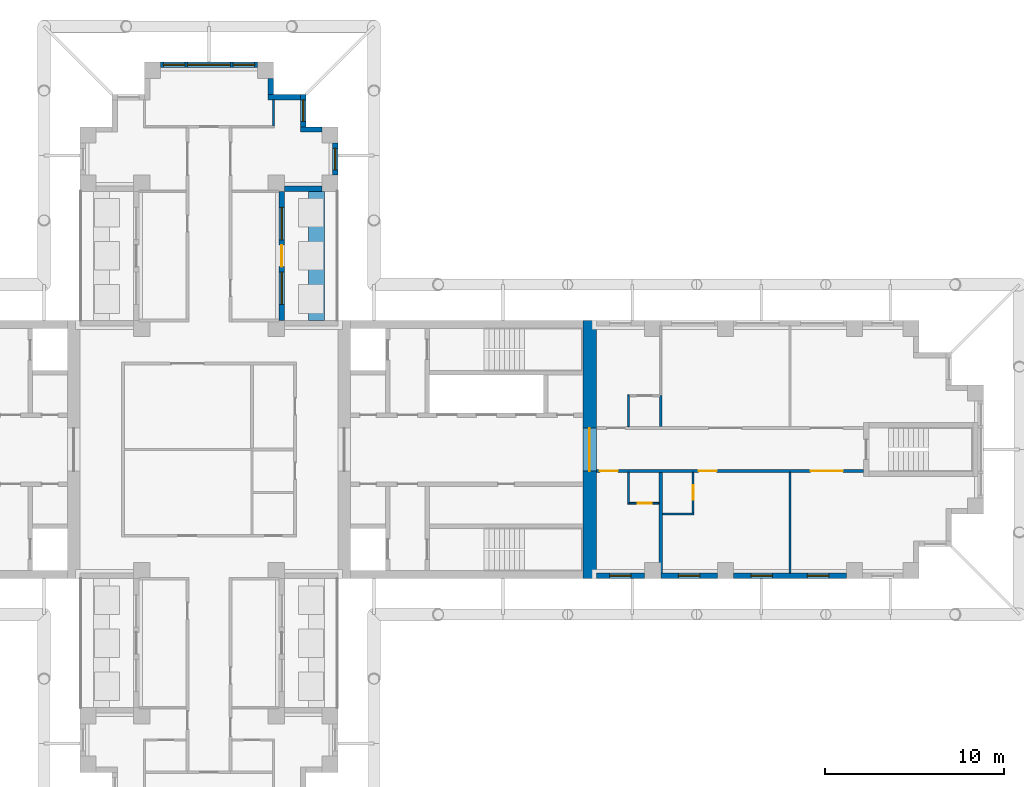
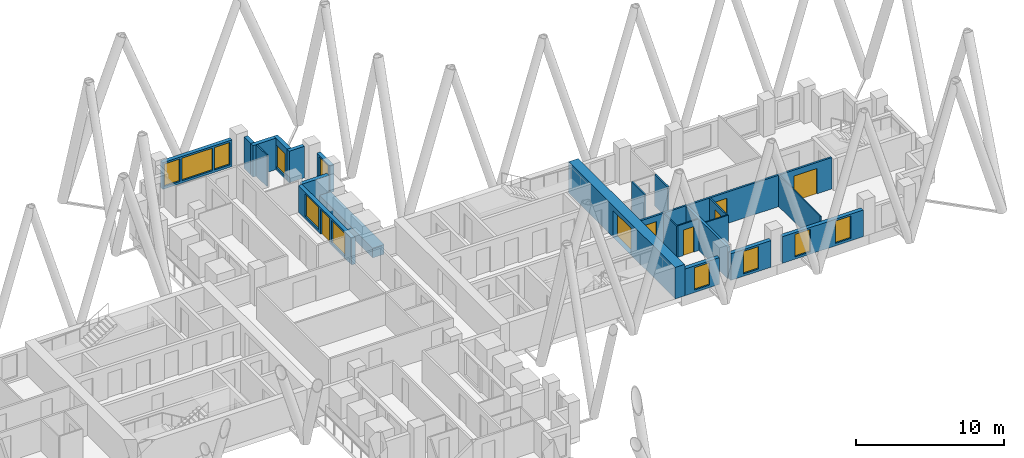
# One storey, part 8 of 12: 23 walls, 11 windows, 7 doors, 18 openings.
"""IFC4 building model written with IfcOpenShell, lengths in metres."""

from ifc_helpers import new_model, si_unit, direction, frame, frame_2d, origin, place, context, subcontext, project, spatial, rectangle, extrude, material, layer, layer_set, type_object, element, fill, save


model = new_model("IFC4")

# Units and contexts
model_context = context("Model", 3, precision=1e-05, world=origin(), true_north=direction((0.0, 1.0)))
body_context = subcontext(model_context, "Body", "Model", "MODEL_VIEW")
ifc_project = project(units=[si_unit("LENGTHUNIT", "METRE"), si_unit("AREAUNIT", "SQUARE_METRE"), si_unit("VOLUMEUNIT", "CUBIC_METRE"), si_unit("PLANEANGLEUNIT", "RADIAN"), si_unit("MASSUNIT", "GRAM", prefix="KILO")], contexts=[model_context])

# Site, building, storey
site_placement = place(None, origin())
site = spatial("IfcSite", under=ifc_project, at=site_placement, CompositionType="ELEMENT")
building_placement = place(site_placement, origin())
building = spatial("IfcBuilding", under=site, at=building_placement, Name="Fustian Cross Tower", CompositionType="ELEMENT")
storey_placement = place(building_placement, frame((0.0, 0.0, 129.300048828125)))
storey = spatial("IfcBuildingStorey", under=building, at=storey_placement, Name="L40", CompositionType="ELEMENT", Elevation=129.300048828125)

# Wall, openings, doors
ifc_material_1 = material(Name="Plasterboard on steel stud", Category="steel")
ifc_layer_1 = layer(ifc_material_1, 0.14990234375)
ifc_layer_set_1 = layer_set([ifc_layer_1], Name="Plasterboard on steel stud")
wall_type_1 = type_object("IfcWallType", Name="COMPARTMENT WALL 150 EI 60", PredefinedType="PARTITIONING", material=ifc_layer_set_1)
wall_1_placement = place(storey_placement, frame((21.60009765625, -1.199951171875, 0.0), z_axis=(0.0, 0.0, 1.0), x_axis=(1.0, 0.0, 0.0)))
wall_1 = element("IfcWall", 1, at=wall_1_placement, inside=storey, type_object=wall_type_1, Name="Partition 49", PredefinedType="PARTITIONING", context=body_context, shape_type="SweptSolid", body=[
    extrude(rectangle(XDim=14.89990234375, YDim=0.14990234375, at=frame_2d((7.449951171875, 0.0))), origin(), (0.0, 0.0, 1.0), 2.599853515625),
])
opening_1_placement = place(wall_1_placement, frame((0.199951171875, 0.0, 0.0)))
opening_1 = element("IfcOpeningElement", 2, at=opening_1_placement, cuts=wall_1, Name="Opening D19011", PredefinedType="OPENING", context=body_context, shape_type="SweptSolid", body=[
    extrude(rectangle(XDim=1.0, YDim=2.10009765625, at=frame_2d((0.5, 1.050048828125))), frame((0.0, 0.0849609375, 0.0), z_axis=(0.0, -1.0, 0.0), x_axis=(1.0, 0.0, 0.0)), (0.0, 0.0, 1.0), 0.169921875),
])
opening_2_placement = place(wall_1_placement, frame((5.7099609375, 0.0, 0.0)))
opening_2 = element("IfcOpeningElement", 3, at=opening_2_placement, cuts=wall_1, Name="Opening D19013", PredefinedType="OPENING", context=body_context, shape_type="SweptSolid", body=[
    extrude(rectangle(XDim=1.0, YDim=2.10009765625, at=frame_2d((0.5, 1.050048828125))), frame((0.0, 0.0849609375, 0.0), z_axis=(0.0, -1.0, 0.0), x_axis=(1.0, 0.0, 0.0)), (0.0, 0.0, 1.0), 0.169921875),
])
opening_3_placement = place(wall_1_placement, frame((11.949951171875, 0.0, 0.0)))
opening_3 = element("IfcOpeningElement", 4, at=opening_3_placement, cuts=wall_1, Name="Opening D19014", PredefinedType="OPENING", context=body_context, shape_type="SweptSolid", body=[
    extrude(rectangle(XDim=1.800048828125, YDim=2.10009765625, at=frame_2d((0.89990234375, 1.050048828125))), frame((0.0, 0.0849609375, 0.0), z_axis=(0.0, -1.0, 0.0), x_axis=(1.0, 0.0, 0.0)), (0.0, 0.0, 1.0), 0.169921875),
])
ifc_material_2 = material(Name="Timber fire door set", Category="wood")
door_type_1 = type_object("IfcDoorType", Name="FIRE DOUBLE DOOR 1800 FD30S", OperationType="DOUBLE_DOOR_DOUBLE_SWING", PredefinedType="DOOR", material=ifc_material_2)
door_1_placement = place(opening_3_placement, origin())
door_1 = element("IfcDoor", 5, at=door_1_placement, inside=storey, type_object=door_type_1, Name="Door D19014", OperationType="DOUBLE_DOOR_DOUBLE_SWING", OverallHeight=2.10009765625, OverallWidth=1.800048828125, PredefinedType="DOOR", context=body_context, shape_type="SweptSolid", body=[
    extrude(rectangle(XDim=1.800048828125, YDim=2.10009765625, at=frame_2d((0.89990234375, 1.050048828125))), frame((0.0, 0.02490234375, 0.0), z_axis=(0.0, -1.0, 0.0), x_axis=(1.0, 0.0, 0.0)), (0.0, 0.0, 1.0), 0.050048828125),
])
fill(opening_3, door_1)
ifc_material_3 = material(Name="Timber fire door set", Category="wood")
door_type_2 = type_object("IfcDoorType", Name="FIRE SWING DOOR 1000 FD30S", OperationType="SINGLE_SWING_LEFT", PredefinedType="DOOR", material=ifc_material_3)
door_2_placement = place(opening_1_placement, frame((1.0, 0.0, 0.0), z_axis=(0.0, 0.0, 1.0), x_axis=(-1.0, 0.0, 0.0)))
door_2 = element("IfcDoor", 6, at=door_2_placement, inside=storey, type_object=door_type_2, Name="Door D19011", OperationType="SINGLE_SWING_RIGHT", OverallHeight=2.10009765625, OverallWidth=1.0, PredefinedType="DOOR", context=body_context, shape_type="SweptSolid", body=[
    extrude(rectangle(XDim=1.0, YDim=2.10009765625, at=frame_2d((0.5, 1.050048828125))), frame((0.0, 0.02490234375, 0.0), z_axis=(0.0, -1.0, 0.0), x_axis=(1.0, 0.0, 0.0)), (0.0, 0.0, 1.0), 0.050048828125),
])
fill(opening_1, door_2)
door_3_placement = place(opening_2_placement, frame((1.0, 0.0, 0.0), z_axis=(0.0, 0.0, 1.0), x_axis=(-1.0, 0.0, 0.0)))
door_3 = element("IfcDoor", 7, at=door_3_placement, inside=storey, type_object=door_type_2, Name="Door D19013", OperationType="SINGLE_SWING_RIGHT", OverallHeight=2.10009765625, OverallWidth=1.0, PredefinedType="DOOR", context=body_context, shape_type="SweptSolid", body=[
    extrude(rectangle(XDim=1.0, YDim=2.10009765625, at=frame_2d((0.5, 1.050048828125))), frame((0.0, 0.02490234375, 0.0), z_axis=(0.0, -1.0, 0.0), x_axis=(1.0, 0.0, 0.0)), (0.0, 0.0, 1.0), 0.050048828125),
])
fill(opening_2, door_3)

# Wall, opening, door
ifc_material_4 = material(Name="Concrete C60/75", Category="concrete")
ifc_layer_2 = layer(ifc_material_4, 0.75)
ifc_layer_set_2 = layer_set([ifc_layer_2], Name="Concrete C60/75")
wall_type_2 = type_object("IfcWallType", Name="CORE END WALL 750 C60/75", PredefinedType="SHEAR", material=ifc_layer_set_2)
wall_2_placement = place(storey_placement, frame((21.22509765625, -7.199951171875, 0.0), z_axis=(0.0, 0.0, 1.0), x_axis=(0.0, 1.0, 0.0)))
wall_2 = element("IfcWall", 8, at=wall_2_placement, inside=storey, type_object=wall_type_2, Name="Core end wall", PredefinedType="SHEAR", context=body_context, shape_type="SweptSolid", body=[
    extrude(rectangle(XDim=14.39990234375, YDim=0.75, at=frame_2d((7.199951171875, 0.0))), origin(), (0.0, 0.0, 1.0), 2.599853515625),
])
opening_4_placement = place(wall_2_placement, frame((6.0, 0.0, 0.0)))
opening_4 = element("IfcOpeningElement", 9, at=opening_4_placement, cuts=wall_2, Name="Opening CD-17-13", PredefinedType="OPENING", context=body_context, shape_type="SweptSolid", body=[
    extrude(rectangle(XDim=2.39990234375, YDim=2.199951171875, at=frame_2d((1.199951171875, 1.10009765625))), frame((0.0, 0.385009765625, 0.0), z_axis=(0.0, -1.0, 0.0), x_axis=(1.0, 0.0, 0.0)), (0.0, 0.0, 1.0), 0.77001953125),
])
ifc_material_5 = material(Name="Steel", Category="steel")
door_type_3 = type_object("IfcDoorType", Name="FIRE DOOR FD30S DOUBLE 2400X2200", OperationType="DOUBLE_DOOR_DOUBLE_SWING", PredefinedType="DOOR", material=ifc_material_5)
door_4_placement = place(opening_4_placement, origin())
door_4 = element("IfcDoor", 10, at=door_4_placement, inside=storey, type_object=door_type_3, Name="Core door CD-17-13", OperationType="DOUBLE_DOOR_DOUBLE_SWING", OverallHeight=2.199951171875, OverallWidth=2.39990234375, PredefinedType="DOOR", context=body_context, shape_type="SweptSolid", body=[
    extrude(rectangle(XDim=2.39990234375, YDim=2.199951171875, at=frame_2d((1.199951171875, 1.10009765625))), frame((0.0, 0.02490234375, 0.0), z_axis=(0.0, -1.0, 0.0), x_axis=(1.0, 0.0, 0.0)), (0.0, 0.0, 1.0), 0.050048828125),
])
fill(opening_4, door_4)

# Walls
ifc_material_6 = material(Name="Plasterboard on steel stud", Category="steel")
ifc_layer_3 = layer(ifc_material_6, 0.10009765625)
ifc_layer_set_3 = layer_set([ifc_layer_3], Name="Plasterboard on steel stud")
wall_type_3 = type_object("IfcWallType", Name="PARTITION 100 STUD", PredefinedType="PARTITIONING", material=ifc_layer_set_3)
wall_3_placement = place(storey_placement, frame((3.60009765625, 18.050048828125, 0.0), z_axis=(0.0, 0.0, 1.0), x_axis=(0.0, 1.0, 0.0)))
element("IfcWall", 11, at=wall_3_placement, inside=storey, type_object=wall_type_3, Name="Partition 47", PredefinedType="PARTITIONING", context=body_context, shape_type="SweptSolid", body=[
    extrude(rectangle(XDim=1.449951171875, YDim=0.10009765625, at=frame_2d((0.72509765625, 0.0))), origin(), (0.0, 0.0, 1.0), 2.599853515625),
])
wall_4_placement = place(storey_placement, frame((23.39990234375, -3.050048828125, 0.0), z_axis=(0.0, 0.0, 1.0), x_axis=(0.0, 1.0, 0.0)))
element("IfcWall", 12, at=wall_4_placement, inside=storey, type_object=wall_type_3, Name="Partition 51", PredefinedType="PARTITIONING", context=body_context, shape_type="SweptSolid", body=[
    extrude(rectangle(XDim=1.775146484375, YDim=0.10009765625, at=frame_2d((0.8876953125, 0.0))), origin(), (0.0, 0.0, 1.0), 2.599853515625),
])

# Wall, opening, door
wall_5_placement = place(storey_placement, frame((23.449951171875, -3.0, 0.0), z_axis=(0.0, 0.0, 1.0), x_axis=(1.0, 0.0, 0.0)))
wall_5 = element("IfcWall", 13, at=wall_5_placement, inside=storey, type_object=wall_type_3, Name="Partition 52", PredefinedType="PARTITIONING", context=body_context, shape_type="SweptSolid", body=[
    extrude(rectangle(XDim=1.650146484375, YDim=0.10009765625, at=frame_2d((0.8251953125, 0.0))), origin(), (0.0, 0.0, 1.0), 2.599853515625),
])
opening_5_placement = place(wall_5_placement, frame((0.449951171875, 0.0, 0.0)))
opening_5 = element("IfcOpeningElement", 14, at=opening_5_placement, cuts=wall_5, Name="Opening D19010", PredefinedType="OPENING", context=body_context, shape_type="SweptSolid", body=[
    extrude(rectangle(XDim=0.800048828125, YDim=2.10009765625, at=frame_2d((0.39990234375, 1.050048828125))), frame((0.0, 0.06005859375, 0.0), z_axis=(0.0, -1.0, 0.0), x_axis=(1.0, 0.0, 0.0)), (0.0, 0.0, 1.0), 0.1201171875),
])
ifc_material_7 = material(Name="Painted timber", Category="wood")
door_type_4 = type_object("IfcDoorType", Name="SWING DOOR 800", OperationType="SINGLE_SWING_LEFT", PredefinedType="DOOR", material=ifc_material_7)
door_5_placement = place(opening_5_placement, origin())
door_5 = element("IfcDoor", 15, at=door_5_placement, inside=storey, type_object=door_type_4, Name="Door D19010", OperationType="SINGLE_SWING_RIGHT", OverallHeight=2.10009765625, OverallWidth=0.800048828125, PredefinedType="DOOR", context=body_context, shape_type="SweptSolid", body=[
    extrude(rectangle(XDim=0.800048828125, YDim=2.10009765625, at=frame_2d((0.39990234375, 1.050048828125))), frame((0.0, 0.02490234375, 0.0), z_axis=(0.0, -1.0, 0.0), x_axis=(1.0, 0.0, 0.0)), (0.0, 0.0, 1.0), 0.050048828125),
])
fill(opening_5, door_5)

# Walls
wall_6_placement = place(storey_placement, frame((23.39990234375, 1.27490234375, 0.0), z_axis=(0.0, 0.0, 1.0), x_axis=(0.0, 1.0, 0.0)))
element("IfcWall", 16, at=wall_6_placement, inside=storey, type_object=wall_type_3, Name="Partition 53", PredefinedType="PARTITIONING", context=body_context, shape_type="SweptSolid", body=[
    extrude(rectangle(XDim=1.775146484375, YDim=0.10009765625, at=frame_2d((0.8876953125, 0.0))), origin(), (0.0, 0.0, 1.0), 2.599853515625),
])
wall_7_placement = place(storey_placement, frame((25.300048828125, -3.60009765625, 0.0), z_axis=(0.0, 0.0, 1.0), x_axis=(1.0, 0.0, 0.0)))
element("IfcWall", 17, at=wall_7_placement, inside=storey, type_object=wall_type_3, Name="Partition 56", PredefinedType="PARTITIONING", context=body_context, shape_type="SweptSolid", body=[
    extrude(rectangle(XDim=1.75, YDim=0.10009765625, at=frame_2d((0.875, 0.0))), origin(), (0.0, 0.0, 1.0), 2.599853515625),
])

# Wall, opening, door
wall_8_placement = place(storey_placement, frame((27.0, -3.550048828125, 0.0), z_axis=(0.0, 0.0, 1.0), x_axis=(0.0, 1.0, 0.0)))
wall_8 = element("IfcWall", 18, at=wall_8_placement, inside=storey, type_object=wall_type_3, Name="Partition 59", PredefinedType="PARTITIONING", context=body_context, shape_type="SweptSolid", body=[
    extrude(rectangle(XDim=2.275146484375, YDim=0.10009765625, at=frame_2d((1.1376953125, 0.0))), origin(), (0.0, 0.0, 1.0), 2.599853515625),
])
opening_6_placement = place(wall_8_placement, frame((0.75, 0.0, 0.0)))
opening_6 = element("IfcOpeningElement", 19, at=opening_6_placement, cuts=wall_8, Name="Opening D19012", PredefinedType="OPENING", context=body_context, shape_type="SweptSolid", body=[
    extrude(rectangle(XDim=0.800048828125, YDim=2.10009765625, at=frame_2d((0.39990234375, 1.050048828125))), frame((0.0, 0.06005859375, 0.0), z_axis=(0.0, -1.0, 0.0), x_axis=(1.0, 0.0, 0.0)), (0.0, 0.0, 1.0), 0.1201171875),
])
door_6_placement = place(opening_6_placement, origin())
door_6 = element("IfcDoor", 20, at=door_6_placement, inside=storey, type_object=door_type_4, Name="Door D19012", OperationType="SINGLE_SWING_LEFT", OverallHeight=2.10009765625, OverallWidth=0.800048828125, PredefinedType="DOOR", context=body_context, shape_type="SweptSolid", body=[
    extrude(rectangle(XDim=0.800048828125, YDim=2.10009765625, at=frame_2d((0.39990234375, 1.050048828125))), frame((0.0, 0.02490234375, 0.0), z_axis=(0.0, -1.0, 0.0), x_axis=(1.0, 0.0, 0.0)), (0.0, 0.0, 1.0), 0.050048828125),
])
fill(opening_6, door_6)

# Walls
wall_9_placement = place(storey_placement, frame((32.39990234375, -6.89990234375, 0.0), z_axis=(0.0, 0.0, 1.0), x_axis=(0.0, 1.0, 0.0)))
element("IfcWall", 21, at=wall_9_placement, inside=storey, type_object=wall_type_3, Name="Partition 60", PredefinedType="PARTITIONING", context=body_context, shape_type="SweptSolid", body=[
    extrude(rectangle(XDim=5.625, YDim=0.10009765625, at=frame_2d((2.8125, 0.0))), origin(), (0.0, 0.0, 1.0), 2.599853515625),
])
ifc_material_8 = material(Name="Plasterboard on steel stud", Category="steel")
ifc_layer_4 = layer(ifc_material_8, 0.199951171875)
ifc_layer_set_4 = layer_set([ifc_layer_4], Name="Plasterboard on steel stud")
wall_type_4 = type_object("IfcWallType", Name="PARTY WALL 200 EI 60", PredefinedType="PARTITIONING", material=ifc_layer_set_4)
wall_10_placement = place(storey_placement, frame((25.199951171875, -6.89990234375, 0.0), z_axis=(0.0, 0.0, 1.0), x_axis=(0.0, 1.0, 0.0)))
element("IfcWall", 22, at=wall_10_placement, inside=storey, type_object=wall_type_4, Name="Partition 55", PredefinedType="PARTITIONING", context=body_context, shape_type="SweptSolid", body=[
    extrude(rectangle(XDim=5.625, YDim=0.199951171875, at=frame_2d((2.8125, 0.0))), origin(), (0.0, 0.0, 1.0), 2.599853515625),
])
ifc_material_9 = material(Name="Concrete C40/50", Category="concrete")
ifc_layer_5 = layer(ifc_material_9, 0.89990234375)
ifc_layer_set_5 = layer_set([ifc_layer_5], Name="Concrete C40/50")
wall_type_5 = type_object("IfcWallType", Name="PK1 PLANTER 900", PredefinedType="PARAPET", material=ifc_layer_set_5)
wall_11_placement = place(storey_placement, frame((6.0, 7.199951171875, 0.0), z_axis=(0.0, 0.0, 1.0), x_axis=(0.0, 1.0, 0.0)))
element("IfcWall", 23, at=wall_11_placement, inside=storey, type_object=wall_type_5, Name="PLANTER", PredefinedType="PARAPET", context=body_context, shape_type="SweptSolid", body=[
    extrude(rectangle(XDim=7.199951171875, YDim=0.89990234375, at=frame_2d((3.60009765625, 0.0))), origin(), (0.0, 0.0, 1.0), 0.800048828125),
])
ifc_material_10 = material(Name="Plasterboard on steel stud", Category="steel")
ifc_layer_6 = layer(ifc_material_10, 0.125)
ifc_layer_set_6 = layer_set([ifc_layer_6], Name="Plasterboard on steel stud")
wall_type_6 = type_object("IfcWallType", Name="WET WALL 125 STUD", PredefinedType="PARTITIONING", material=ifc_layer_set_6)
wall_12_placement = place(storey_placement, frame((25.199951171875, 1.27490234375, 0.0), z_axis=(0.0, 0.0, 1.0), x_axis=(0.0, 1.0, 0.0)))
element("IfcWall", 24, at=wall_12_placement, inside=storey, type_object=wall_type_6, Name="Partition 57", PredefinedType="PARTITIONING", context=body_context, shape_type="SweptSolid", body=[
    extrude(rectangle(XDim=1.72509765625, YDim=0.125, at=frame_2d((0.862548828125, 0.0))), origin(), (0.0, 0.0, 1.0), 2.599853515625),
])

# Wall, opening, window
ifc_material_11 = material(Name="Dark aluminium cladding on insulated backing wall", Category="aluminium")
ifc_layer_7 = layer(ifc_material_11, 0.300048828125)
ifc_layer_set_7 = layer_set([ifc_layer_7], Name="Dark aluminium cladding on insulated backing wall")
wall_type_7 = type_object("IfcWallType", Name="XW1 EXTERNAL WALL 300", PredefinedType="SOLIDWALL", material=ifc_layer_set_7)
wall_13_placement = place(storey_placement, frame((21.60009765625, -7.050048828125, 0.0), z_axis=(0.0, 0.0, 1.0), x_axis=(1.0, 0.0, 0.0)))
wall_13 = element("IfcWall", 25, at=wall_13_placement, inside=storey, type_object=wall_type_7, Name="External wall", PredefinedType="SOLIDWALL", context=body_context, shape_type="SweptSolid", body=[
    extrude(rectangle(XDim=2.699951171875, YDim=0.300048828125, at=frame_2d((1.35009765625, 0.0))), origin(), (0.0, 0.0, 1.0), 2.199951171875),
])
opening_7_placement = place(wall_13_placement, frame((0.75, 0.0, 0.199951171875)))
opening_7 = element("IfcOpeningElement", 26, at=opening_7_placement, cuts=wall_13, Name="Opening WN3", PredefinedType="OPENING", context=body_context, shape_type="SweptSolid", body=[
    extrude(rectangle(XDim=1.199951171875, YDim=1.85009765625, at=frame_2d((0.60009765625, 0.925048828125))), frame((0.0, 0.159912109375, 0.0), z_axis=(0.0, -1.0, 0.0), x_axis=(1.0, 0.0, 0.0)), (0.0, 0.0, 1.0), 0.320068359375),
])
ifc_material_12 = material(Name="Dark anodised aluminium and double glazing", Category="aluminium")
window_type_1 = type_object("IfcWindowType", Name="WN3 WINDOW 1200X1850", PartitioningType="SINGLE_PANEL", PredefinedType="WINDOW", material=ifc_material_12)
window_1_placement = place(opening_7_placement, origin())
window_1 = element("IfcWindow", 27, at=window_1_placement, inside=storey, type_object=window_type_1, Name="Window", OverallHeight=1.85009765625, OverallWidth=1.199951171875, PartitioningType="SINGLE_PANEL", PredefinedType="WINDOW", context=body_context, shape_type="SweptSolid", body=[
    extrude(rectangle(XDim=1.199951171875, YDim=1.85009765625, at=frame_2d((0.60009765625, 0.925048828125))), frame((0.0, 0.030029296875, 0.0), z_axis=(0.0, -1.0, 0.0), x_axis=(1.0, 0.0, 0.0)), (0.0, 0.0, 1.0), 0.06005859375),
])
fill(opening_7, window_1)

wall_14_placement = place(storey_placement, frame((25.199951171875, -7.050048828125, 0.0), z_axis=(0.0, 0.0, 1.0), x_axis=(1.0, 0.0, 0.0)))
wall_14 = element("IfcWall", 28, at=wall_14_placement, inside=storey, type_object=wall_type_7, Name="External wall", PredefinedType="SOLIDWALL", context=body_context, shape_type="SweptSolid", body=[
    extrude(rectangle(XDim=3.150146484375, YDim=0.300048828125, at=frame_2d((1.5751953125, 0.0))), origin(), (0.0, 0.0, 1.0), 2.199951171875),
])
opening_8_placement = place(wall_14_placement, frame((0.97509765625, 0.0, 0.199951171875)))
opening_8 = element("IfcOpeningElement", 29, at=opening_8_placement, cuts=wall_14, Name="Opening WN3", PredefinedType="OPENING", context=body_context, shape_type="SweptSolid", body=[
    extrude(rectangle(XDim=1.199951171875, YDim=1.85009765625, at=frame_2d((0.60009765625, 0.925048828125))), frame((0.0, 0.159912109375, 0.0), z_axis=(0.0, -1.0, 0.0), x_axis=(1.0, 0.0, 0.0)), (0.0, 0.0, 1.0), 0.320068359375),
])
window_2_placement = place(opening_8_placement, origin())
window_2 = element("IfcWindow", 30, at=window_2_placement, inside=storey, type_object=window_type_1, Name="Window", OverallHeight=1.85009765625, OverallWidth=1.199951171875, PartitioningType="SINGLE_PANEL", PredefinedType="WINDOW", context=body_context, shape_type="SweptSolid", body=[
    extrude(rectangle(XDim=1.199951171875, YDim=1.85009765625, at=frame_2d((0.60009765625, 0.925048828125))), frame((0.0, 0.030029296875, 0.0), z_axis=(0.0, -1.0, 0.0), x_axis=(1.0, 0.0, 0.0)), (0.0, 0.0, 1.0), 0.06005859375),
])
fill(opening_8, window_2)

# Wall, openings, windows
wall_15_placement = place(storey_placement, frame((29.25, -7.050048828125, 0.0), z_axis=(0.0, 0.0, 1.0), x_axis=(1.0, 0.0, 0.0)))
wall_15 = element("IfcWall", 31, at=wall_15_placement, inside=storey, type_object=wall_type_7, Name="External wall", PredefinedType="SOLIDWALL", context=body_context, shape_type="SweptSolid", body=[
    extrude(rectangle(XDim=6.300048828125, YDim=0.300048828125, at=frame_2d((3.14990234375, 0.0))), origin(), (0.0, 0.0, 1.0), 2.199951171875),
])
opening_9_placement = place(wall_15_placement, frame((0.97509765625, 0.0, 0.199951171875)))
opening_9 = element("IfcOpeningElement", 32, at=opening_9_placement, cuts=wall_15, Name="Opening WN3", PredefinedType="OPENING", context=body_context, shape_type="SweptSolid", body=[
    extrude(rectangle(XDim=1.199951171875, YDim=1.85009765625, at=frame_2d((0.60009765625, 0.925048828125))), frame((0.0, 0.159912109375, 0.0), z_axis=(0.0, -1.0, 0.0), x_axis=(1.0, 0.0, 0.0)), (0.0, 0.0, 1.0), 0.320068359375),
])
opening_10_placement = place(wall_15_placement, frame((4.125, 0.0, 0.199951171875)))
opening_10 = element("IfcOpeningElement", 33, at=opening_10_placement, cuts=wall_15, Name="Opening WN3", PredefinedType="OPENING", context=body_context, shape_type="SweptSolid", body=[
    extrude(rectangle(XDim=1.199951171875, YDim=1.85009765625, at=frame_2d((0.60009765625, 0.925048828125))), frame((0.0, 0.159912109375, 0.0), z_axis=(0.0, -1.0, 0.0), x_axis=(1.0, 0.0, 0.0)), (0.0, 0.0, 1.0), 0.320068359375),
])
window_3_placement = place(opening_9_placement, origin())
window_3 = element("IfcWindow", 34, at=window_3_placement, inside=storey, type_object=window_type_1, Name="Window", OverallHeight=1.85009765625, OverallWidth=1.199951171875, PartitioningType="SINGLE_PANEL", PredefinedType="WINDOW", context=body_context, shape_type="SweptSolid", body=[
    extrude(rectangle(XDim=1.199951171875, YDim=1.85009765625, at=frame_2d((0.60009765625, 0.925048828125))), frame((0.0, 0.030029296875, 0.0), z_axis=(0.0, -1.0, 0.0), x_axis=(1.0, 0.0, 0.0)), (0.0, 0.0, 1.0), 0.06005859375),
])
fill(opening_9, window_3)
window_4_placement = place(opening_10_placement, origin())
window_4 = element("IfcWindow", 35, at=window_4_placement, inside=storey, type_object=window_type_1, Name="Window", OverallHeight=1.85009765625, OverallWidth=1.199951171875, PartitioningType="SINGLE_PANEL", PredefinedType="WINDOW", context=body_context, shape_type="SweptSolid", body=[
    extrude(rectangle(XDim=1.199951171875, YDim=1.85009765625, at=frame_2d((0.60009765625, 0.925048828125))), frame((0.0, 0.030029296875, 0.0), z_axis=(0.0, -1.0, 0.0), x_axis=(1.0, 0.0, 0.0)), (0.0, 0.0, 1.0), 0.06005859375),
])
fill(opening_10, window_4)

# Wall, openings, door, windows
wall_16_placement = place(storey_placement, frame((4.050048828125, 7.199951171875, 0.0), z_axis=(0.0, 0.0, 1.0), x_axis=(0.0, 1.0, 0.0)))
wall_16 = element("IfcWall", 36, at=wall_16_placement, inside=storey, type_object=wall_type_7, Name="External wall", PredefinedType="SOLIDWALL", context=body_context, shape_type="SweptSolid", body=[
    extrude(rectangle(XDim=7.199951171875, YDim=0.300048828125, at=frame_2d((3.60009765625, 0.0))), origin(), (0.0, 0.0, 1.0), 2.199951171875),
])
opening_11_placement = place(wall_16_placement, frame((3.0, 0.0, 0.0)))
opening_11 = element("IfcOpeningElement", 37, at=opening_11_placement, cuts=wall_16, Name="Opening XD1", PredefinedType="OPENING", context=body_context, shape_type="SweptSolid", body=[
    extrude(rectangle(XDim=1.199951171875, YDim=2.050048828125, at=frame_2d((0.60009765625, 1.02490234375))), frame((0.0, 0.159912109375, 0.0), z_axis=(0.0, -1.0, 0.0), x_axis=(1.0, 0.0, 0.0)), (0.0, 0.0, 1.0), 0.320068359375),
])
opening_12_placement = place(wall_16_placement, frame((0.89990234375, 0.0, 0.199951171875)))
opening_12 = element("IfcOpeningElement", 38, at=opening_12_placement, cuts=wall_16, Name="Opening WN2", PredefinedType="OPENING", context=body_context, shape_type="SweptSolid", body=[
    extrude(rectangle(XDim=1.800048828125, YDim=1.85009765625, at=frame_2d((0.89990234375, 0.925048828125))), frame((0.0, 0.159912109375, 0.0), z_axis=(0.0, -1.0, 0.0), x_axis=(1.0, 0.0, 0.0)), (0.0, 0.0, 1.0), 0.320068359375),
])
opening_13_placement = place(wall_16_placement, frame((4.5, 0.0, 0.199951171875)))
opening_13 = element("IfcOpeningElement", 39, at=opening_13_placement, cuts=wall_16, Name="Opening WN2", PredefinedType="OPENING", context=body_context, shape_type="SweptSolid", body=[
    extrude(rectangle(XDim=1.800048828125, YDim=1.85009765625, at=frame_2d((0.89990234375, 0.925048828125))), frame((0.0, 0.159912109375, 0.0), z_axis=(0.0, -1.0, 0.0), x_axis=(1.0, 0.0, 0.0)), (0.0, 0.0, 1.0), 0.320068359375),
])
ifc_material_13 = material(Name="Dark anodised aluminium and double glazing", Category="aluminium")
door_type_5 = type_object("IfcDoorType", Name="ED1 BALCONY DOOR 1200X2050", OperationType="SINGLE_SWING_LEFT", PredefinedType="DOOR", material=ifc_material_13)
door_7_placement = place(opening_11_placement, origin())
door_7 = element("IfcDoor", 40, at=door_7_placement, inside=storey, type_object=door_type_5, Name="Balcony door", OperationType="SINGLE_SWING_LEFT", OverallHeight=2.050048828125, OverallWidth=1.199951171875, PredefinedType="DOOR", context=body_context, shape_type="SweptSolid", body=[
    extrude(rectangle(XDim=1.199951171875, YDim=2.050048828125, at=frame_2d((0.60009765625, 1.02490234375))), frame((0.0, 0.02490234375, 0.0), z_axis=(0.0, -1.0, 0.0), x_axis=(1.0, 0.0, 0.0)), (0.0, 0.0, 1.0), 0.050048828125),
])
fill(opening_11, door_7)
ifc_material_14 = material(Name="Dark anodised aluminium and double glazing", Category="aluminium")
window_type_2 = type_object("IfcWindowType", Name="WN2 WINDOW 1800X1850", PartitioningType="SINGLE_PANEL", PredefinedType="WINDOW", material=ifc_material_14)
window_5_placement = place(opening_12_placement, origin())
window_5 = element("IfcWindow", 41, at=window_5_placement, inside=storey, type_object=window_type_2, Name="Window", OverallHeight=1.85009765625, OverallWidth=1.800048828125, PartitioningType="SINGLE_PANEL", PredefinedType="WINDOW", context=body_context, shape_type="SweptSolid", body=[
    extrude(rectangle(XDim=1.800048828125, YDim=1.85009765625, at=frame_2d((0.89990234375, 0.925048828125))), frame((0.0, 0.030029296875, 0.0), z_axis=(0.0, -1.0, 0.0), x_axis=(1.0, 0.0, 0.0)), (0.0, 0.0, 1.0), 0.06005859375),
])
fill(opening_12, window_5)
window_6_placement = place(opening_13_placement, origin())
window_6 = element("IfcWindow", 42, at=window_6_placement, inside=storey, type_object=window_type_2, Name="Window", OverallHeight=1.85009765625, OverallWidth=1.800048828125, PartitioningType="SINGLE_PANEL", PredefinedType="WINDOW", context=body_context, shape_type="SweptSolid", body=[
    extrude(rectangle(XDim=1.800048828125, YDim=1.85009765625, at=frame_2d((0.89990234375, 0.925048828125))), frame((0.0, 0.030029296875, 0.0), z_axis=(0.0, -1.0, 0.0), x_axis=(1.0, 0.0, 0.0)), (0.0, 0.0, 1.0), 0.06005859375),
])
fill(opening_13, window_6)

# Wall
wall_17_placement = place(storey_placement, frame((4.199951171875, 14.550048828125, 0.0), z_axis=(0.0, 0.0, 1.0), x_axis=(1.0, 0.0, 0.0)))
element("IfcWall", 43, at=wall_17_placement, inside=storey, type_object=wall_type_7, Name="External wall", PredefinedType="SOLIDWALL", context=body_context, shape_type="SweptSolid", body=[
    extrude(rectangle(XDim=2.10009765625, YDim=0.300048828125, at=frame_2d((1.050048828125, 0.0))), origin(), (0.0, 0.0, 1.0), 2.199951171875),
])

# Wall, opening, window
wall_18_placement = place(storey_placement, frame((7.050048828125, 15.300048828125, 0.0), z_axis=(0.0, 0.0, 1.0), x_axis=(0.0, 1.0, 0.0)))
wall_18 = element("IfcWall", 44, at=wall_18_placement, inside=storey, type_object=wall_type_7, Name="External wall", PredefinedType="SOLIDWALL", context=body_context, shape_type="SweptSolid", body=[
    extrude(rectangle(XDim=1.800048828125, YDim=0.300048828125, at=frame_2d((0.89990234375, 0.0))), origin(), (0.0, 0.0, 1.0), 2.199951171875),
])
opening_14_placement = place(wall_18_placement, frame((0.300048828125, 0.0, 0.199951171875)))
opening_14 = element("IfcOpeningElement", 45, at=opening_14_placement, cuts=wall_18, Name="Opening WN3", PredefinedType="OPENING", context=body_context, shape_type="SweptSolid", body=[
    extrude(rectangle(XDim=1.199951171875, YDim=1.85009765625, at=frame_2d((0.60009765625, 0.925048828125))), frame((0.0, 0.159912109375, 0.0), z_axis=(0.0, -1.0, 0.0), x_axis=(1.0, 0.0, 0.0)), (0.0, 0.0, 1.0), 0.320068359375),
])
window_7_placement = place(opening_14_placement, origin())
window_7 = element("IfcWindow", 46, at=window_7_placement, inside=storey, type_object=window_type_1, Name="Window", OverallHeight=1.85009765625, OverallWidth=1.199951171875, PartitioningType="SINGLE_PANEL", PredefinedType="WINDOW", context=body_context, shape_type="SweptSolid", body=[
    extrude(rectangle(XDim=1.199951171875, YDim=1.85009765625, at=frame_2d((0.60009765625, 0.925048828125))), frame((0.0, 0.030029296875, 0.0), z_axis=(0.0, -1.0, 0.0), x_axis=(1.0, 0.0, 0.0)), (0.0, 0.0, 1.0), 0.06005859375),
])
fill(opening_14, window_7)

# Wall
wall_19_placement = place(storey_placement, frame((6.300048828125, 17.85009765625, 0.0), z_axis=(0.0, 0.0, 1.0), x_axis=(-1.0, 0.0, 0.0)))
element("IfcWall", 47, at=wall_19_placement, inside=storey, type_object=wall_type_7, Name="External wall", PredefinedType="SOLIDWALL", context=body_context, shape_type="SweptSolid", body=[
    extrude(rectangle(XDim=1.199951171875, YDim=0.300048828125, at=frame_2d((0.60009765625, 0.0))), origin(), (0.0, 0.0, 1.0), 2.599853515625),
])

# Wall, opening, window
wall_20_placement = place(storey_placement, frame((5.25, 18.0, 0.0), z_axis=(0.0, 0.0, 1.0), x_axis=(0.0, 1.0, 0.0)))
wall_20 = element("IfcWall", 48, at=wall_20_placement, inside=storey, type_object=wall_type_7, Name="External wall", PredefinedType="SOLIDWALL", context=body_context, shape_type="SweptSolid", body=[
    extrude(rectangle(XDim=1.800048828125, YDim=0.300048828125, at=frame_2d((0.89990234375, 0.0))), origin(), (0.0, 0.0, 1.0), 2.599853515625),
])
opening_15_placement = place(wall_20_placement, frame((0.300048828125, 0.0, 0.199951171875)))
opening_15 = element("IfcOpeningElement", 49, at=opening_15_placement, cuts=wall_20, Name="Opening WN3", PredefinedType="OPENING", context=body_context, shape_type="SweptSolid", body=[
    extrude(rectangle(XDim=1.199951171875, YDim=1.85009765625, at=frame_2d((0.60009765625, 0.925048828125))), frame((0.0, 0.159912109375, 0.0), z_axis=(0.0, -1.0, 0.0), x_axis=(1.0, 0.0, 0.0)), (0.0, 0.0, 1.0), 0.320068359375),
])
window_8_placement = place(opening_15_placement, origin())
window_8 = element("IfcWindow", 50, at=window_8_placement, inside=storey, type_object=window_type_1, Name="Window", OverallHeight=1.85009765625, OverallWidth=1.199951171875, PartitioningType="SINGLE_PANEL", PredefinedType="WINDOW", context=body_context, shape_type="SweptSolid", body=[
    extrude(rectangle(XDim=1.199951171875, YDim=1.85009765625, at=frame_2d((0.60009765625, 0.925048828125))), frame((0.0, 0.030029296875, 0.0), z_axis=(0.0, -1.0, 0.0), x_axis=(1.0, 0.0, 0.0)), (0.0, 0.0, 1.0), 0.06005859375),
])
fill(opening_15, window_8)

# Walls
wall_21_placement = place(storey_placement, frame((5.10009765625, 19.64990234375, 0.0), z_axis=(0.0, 0.0, 1.0), x_axis=(-1.0, 0.0, 0.0)))
element("IfcWall", 51, at=wall_21_placement, inside=storey, type_object=wall_type_7, Name="External wall", PredefinedType="SOLIDWALL", context=body_context, shape_type="SweptSolid", body=[
    extrude(rectangle(XDim=1.800048828125, YDim=0.300048828125, at=frame_2d((0.89990234375, 0.0))), origin(), (0.0, 0.0, 1.0), 2.599853515625),
])
wall_22_placement = place(storey_placement, frame((3.449951171875, 19.800048828125, 0.0), z_axis=(0.0, 0.0, 1.0), x_axis=(0.0, 1.0, 0.0)))
element("IfcWall", 52, at=wall_22_placement, inside=storey, type_object=wall_type_7, Name="External wall", PredefinedType="SOLIDWALL", context=body_context, shape_type="SweptSolid", body=[
    extrude(rectangle(XDim=0.89990234375, YDim=0.300048828125, at=frame_2d((0.449951171875, 0.0))), origin(), (0.0, 0.0, 1.0), 2.599853515625),
])

# Wall, openings, windows
wall_23_placement = place(storey_placement, frame((2.699951171875, 21.449951171875, 0.0), z_axis=(0.0, 0.0, 1.0), x_axis=(-1.0, 0.0, 0.0)))
wall_23 = element("IfcWall", 53, at=wall_23_placement, inside=storey, type_object=wall_type_7, Name="External wall", PredefinedType="SOLIDWALL", context=body_context, shape_type="SweptSolid", body=[
    extrude(rectangle(XDim=5.39990234375, YDim=0.300048828125, at=frame_2d((2.699951171875, 0.0))), origin(), (0.0, 0.0, 1.0), 2.199951171875),
])
opening_16_placement = place(wall_23_placement, frame((1.5, 0.0, 0.199951171875)))
opening_16 = element("IfcOpeningElement", 54, at=opening_16_placement, cuts=wall_23, Name="Opening WN1", PredefinedType="OPENING", context=body_context, shape_type="SweptSolid", body=[
    extrude(rectangle(XDim=2.39990234375, YDim=1.85009765625, at=frame_2d((1.199951171875, 0.925048828125))), frame((0.0, 0.159912109375, 0.0), z_axis=(0.0, -1.0, 0.0), x_axis=(1.0, 0.0, 0.0)), (0.0, 0.0, 1.0), 0.320068359375),
])
opening_17_placement = place(wall_23_placement, frame((0.14990234375, 0.0, 0.199951171875)))
opening_17 = element("IfcOpeningElement", 55, at=opening_17_placement, cuts=wall_23, Name="Opening WN3", PredefinedType="OPENING", context=body_context, shape_type="SweptSolid", body=[
    extrude(rectangle(XDim=1.199951171875, YDim=1.85009765625, at=frame_2d((0.60009765625, 0.925048828125))), frame((0.0, 0.159912109375, 0.0), z_axis=(0.0, -1.0, 0.0), x_axis=(1.0, 0.0, 0.0)), (0.0, 0.0, 1.0), 0.320068359375),
])
opening_18_placement = place(wall_23_placement, frame((4.050048828125, 0.0, 0.199951171875)))
opening_18 = element("IfcOpeningElement", 56, at=opening_18_placement, cuts=wall_23, Name="Opening WN3", PredefinedType="OPENING", context=body_context, shape_type="SweptSolid", body=[
    extrude(rectangle(XDim=1.199951171875, YDim=1.85009765625, at=frame_2d((0.60009765625, 0.925048828125))), frame((0.0, 0.159912109375, 0.0), z_axis=(0.0, -1.0, 0.0), x_axis=(1.0, 0.0, 0.0)), (0.0, 0.0, 1.0), 0.320068359375),
])
ifc_material_15 = material(Name="Dark anodised aluminium and double glazing", Category="aluminium")
window_type_3 = type_object("IfcWindowType", Name="WN1 WINDOW 2400X1850", PartitioningType="SINGLE_PANEL", PredefinedType="WINDOW", material=ifc_material_15)
window_9_placement = place(opening_16_placement, origin())
window_9 = element("IfcWindow", 57, at=window_9_placement, inside=storey, type_object=window_type_3, Name="Window", OverallHeight=1.85009765625, OverallWidth=2.39990234375, PartitioningType="SINGLE_PANEL", PredefinedType="WINDOW", context=body_context, shape_type="SweptSolid", body=[
    extrude(rectangle(XDim=2.39990234375, YDim=1.85009765625, at=frame_2d((1.199951171875, 0.925048828125))), frame((0.0, 0.030029296875, 0.0), z_axis=(0.0, -1.0, 0.0), x_axis=(1.0, 0.0, 0.0)), (0.0, 0.0, 1.0), 0.06005859375),
])
fill(opening_16, window_9)
window_10_placement = place(opening_17_placement, origin())
window_10 = element("IfcWindow", 58, at=window_10_placement, inside=storey, type_object=window_type_1, Name="Window", OverallHeight=1.85009765625, OverallWidth=1.199951171875, PartitioningType="SINGLE_PANEL", PredefinedType="WINDOW", context=body_context, shape_type="SweptSolid", body=[
    extrude(rectangle(XDim=1.199951171875, YDim=1.85009765625, at=frame_2d((0.60009765625, 0.925048828125))), frame((0.0, 0.030029296875, 0.0), z_axis=(0.0, -1.0, 0.0), x_axis=(1.0, 0.0, 0.0)), (0.0, 0.0, 1.0), 0.06005859375),
])
fill(opening_17, window_10)
window_11_placement = place(opening_18_placement, origin())
window_11 = element("IfcWindow", 59, at=window_11_placement, inside=storey, type_object=window_type_1, Name="Window", OverallHeight=1.85009765625, OverallWidth=1.199951171875, PartitioningType="SINGLE_PANEL", PredefinedType="WINDOW", context=body_context, shape_type="SweptSolid", body=[
    extrude(rectangle(XDim=1.199951171875, YDim=1.85009765625, at=frame_2d((0.60009765625, 0.925048828125))), frame((0.0, 0.030029296875, 0.0), z_axis=(0.0, -1.0, 0.0), x_axis=(1.0, 0.0, 0.0)), (0.0, 0.0, 1.0), 0.06005859375),
])
fill(opening_18, window_11)

save(model, "model.ifc")
